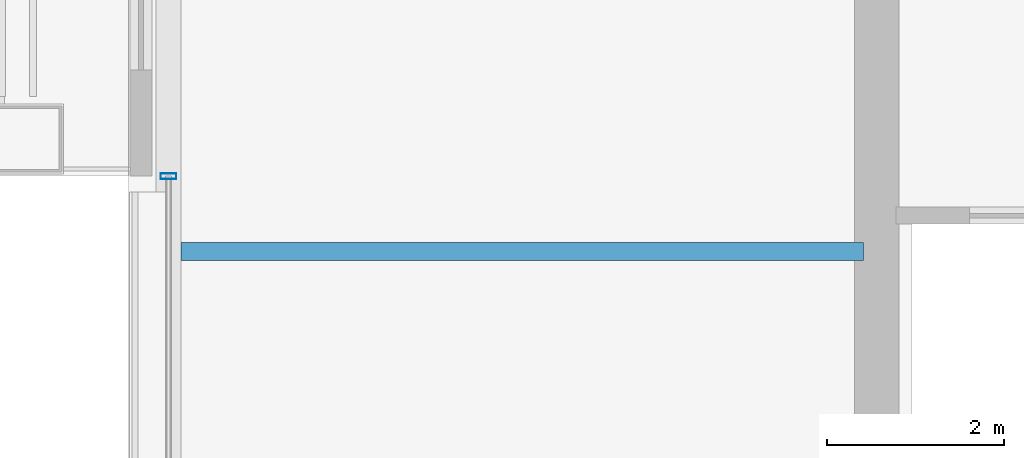
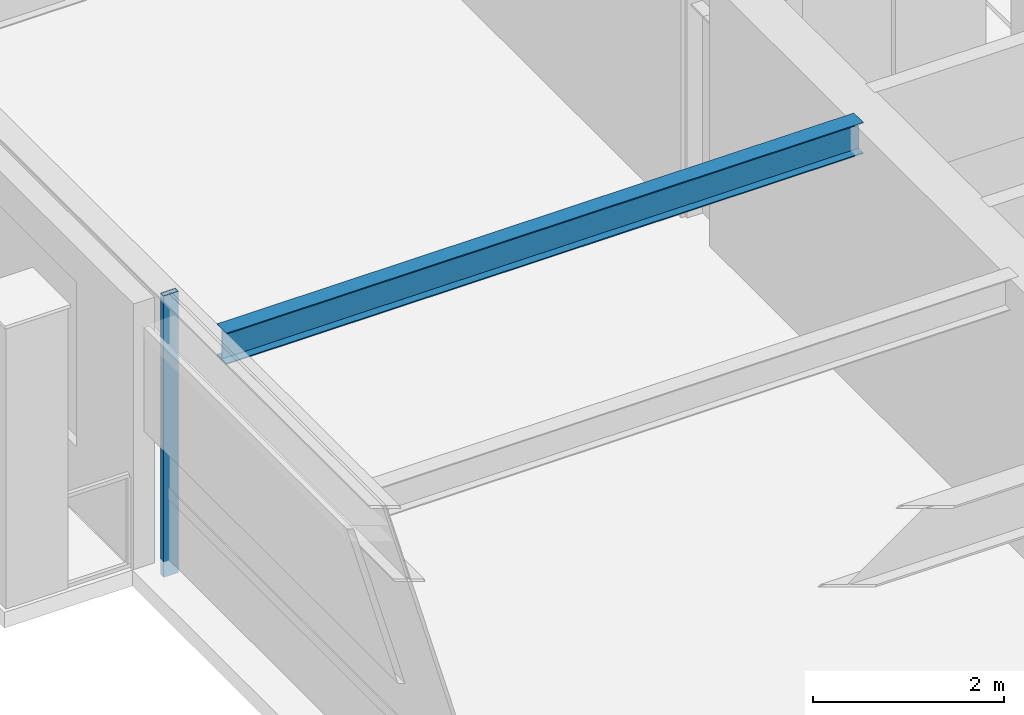
# One storey, part 7 of 30: 1 beam, 1 member, 1 element without a shape of its own.
"""IFC4 building model written with IfcOpenShell, lengths in metres."""

from ifc_helpers import new_model, si_unit, direction, frame, origin, origin_2d, place, context, subcontext, project, spatial, hollow_rectangle, i_section, extrude, material, layer, layer_set, material_profile, profile_set, type_object, element, aggregate, save


model = new_model("IFC4")

# Units and contexts
model_context = context("Model", 3, precision=1e-05, world=origin(), true_north=direction((0.0, 1.0)))
body_context = subcontext(model_context, "Body", "Model", "MODEL_VIEW")
ifc_project = project(units=[si_unit("LENGTHUNIT", "METRE"), si_unit("AREAUNIT", "SQUARE_METRE"), si_unit("VOLUMEUNIT", "CUBIC_METRE"), si_unit("PLANEANGLEUNIT", "RADIAN"), si_unit("MASSUNIT", "GRAM", prefix="KILO")], contexts=[model_context])

# Site, building, storey
site_placement = place(None, origin())
site = spatial("IfcSite", under=ifc_project, at=site_placement, CompositionType="ELEMENT")
building_placement = place(site_placement, origin())
building = spatial("IfcBuilding", under=site, at=building_placement, Name="Brelmoor Portico Tower", CompositionType="ELEMENT")
storey_placement = place(building_placement, frame((0.0, 0.0, 102.60009765625)))
storey = spatial("IfcBuildingStorey", under=building, at=storey_placement, Name="L26", CompositionType="ELEMENT", Elevation=102.60009765625)

# Beam
ifc_material_1 = material(Name="Steel Q355B", Category="steel")
ifc_material_profile_1 = material_profile(ifc_material_1, i_section(OverallWidth=0.199951171875, OverallDepth=0.39990234375, WebThickness=0.008056640625, FlangeThickness=0.012939453125, at=origin_2d()), Name="HN 400x200x8x13")
ifc_profile_set_1 = profile_set([ifc_material_profile_1], Name="Steel Q355B")
beam_type = type_object("IfcBeamType", Name="BM-JS-400", PredefinedType="JOIST", material=ifc_profile_set_1)
beam_placement = place(storey_placement, frame((-22.409912109375, -3.25, 3.199951171875), z_axis=(1.0, 0.0, 0.0), x_axis=(0.0, 1.0, 0.0)))
element("IfcBeam", 1, at=beam_placement, inside=storey, type_object=beam_type, Name="L26 Secondary Wing Joist JS-W06", PredefinedType="JOIST", context=body_context, shape_type="SweptSolid", body=[
    extrude(i_section(OverallWidth=0.199951171875, OverallDepth=0.39990234375, WebThickness=0.008056640625, FlangeThickness=0.012939453125, at=origin_2d()), origin(), (0.0, 0.0, 1.0), 7.7099609375),
])

# Curtain wall, member
ifc_material_2 = material(Name="Anodised Aluminium Alloy 6063-T6", Category="aluminium")
ifc_layer = layer(ifc_material_2, 0.179931640625)
ifc_layer_set = layer_set([ifc_layer], Name="Anodised Aluminium Alloy 6063-T6")
curtain_wall_type = type_object("IfcCurtainWallType", Name="CW-TOWER-Z2", PredefinedType="NOTDEFINED", material=ifc_layer_set)
curtain_wall_placement = place(storey_placement, origin())
curtain_wall = element("IfcCurtainWall", 2, at=curtain_wall_placement, inside=storey, type_object=curtain_wall_type, Name="L26 Curtain Wall CW-L26-3L-2", PredefinedType="NOTDEFINED")
ifc_material_profile_2 = material_profile(ifc_material_2, hollow_rectangle(XDim=0.06494140625, YDim=0.179931640625, WallThickness=0.00390625, at=origin_2d()), Name="ALU MULLION 65x180")
ifc_profile_set_2 = profile_set([ifc_material_profile_2], Name="Anodised Aluminium Alloy 6063-T6")
member_type = type_object("IfcMemberType", Name="MB-CW-MULL-180", PredefinedType="MULLION", material=ifc_profile_set_2)
member_placement = place(storey_placement, frame((-22.550048828125, -2.39990234375, -0.2001953125), z_axis=(0.0, 0.0, 1.0), x_axis=(0.0, 1.0, 0.0)))
member = element("IfcMember", 3, at=member_placement, type_object=member_type, Name="CW-L26-3L-2 Mullion 01", PredefinedType="MULLION", context=body_context, shape_type="SweptSolid", body=[
    extrude(hollow_rectangle(XDim=0.06494140625, YDim=0.179931640625, WallThickness=0.00390625, at=origin_2d()), origin(), (0.0, 0.0, 1.0), 3.60009765625),
])
aggregate(curtain_wall, [member])

save(model, "model.ifc")
